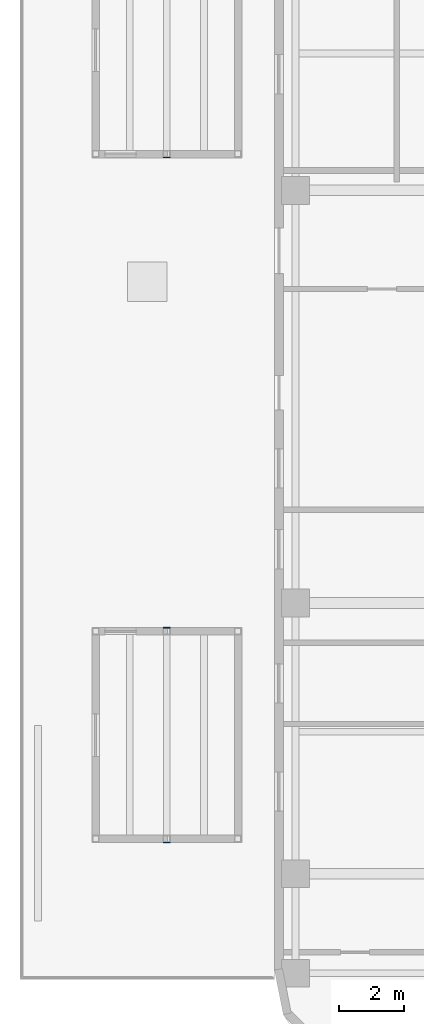
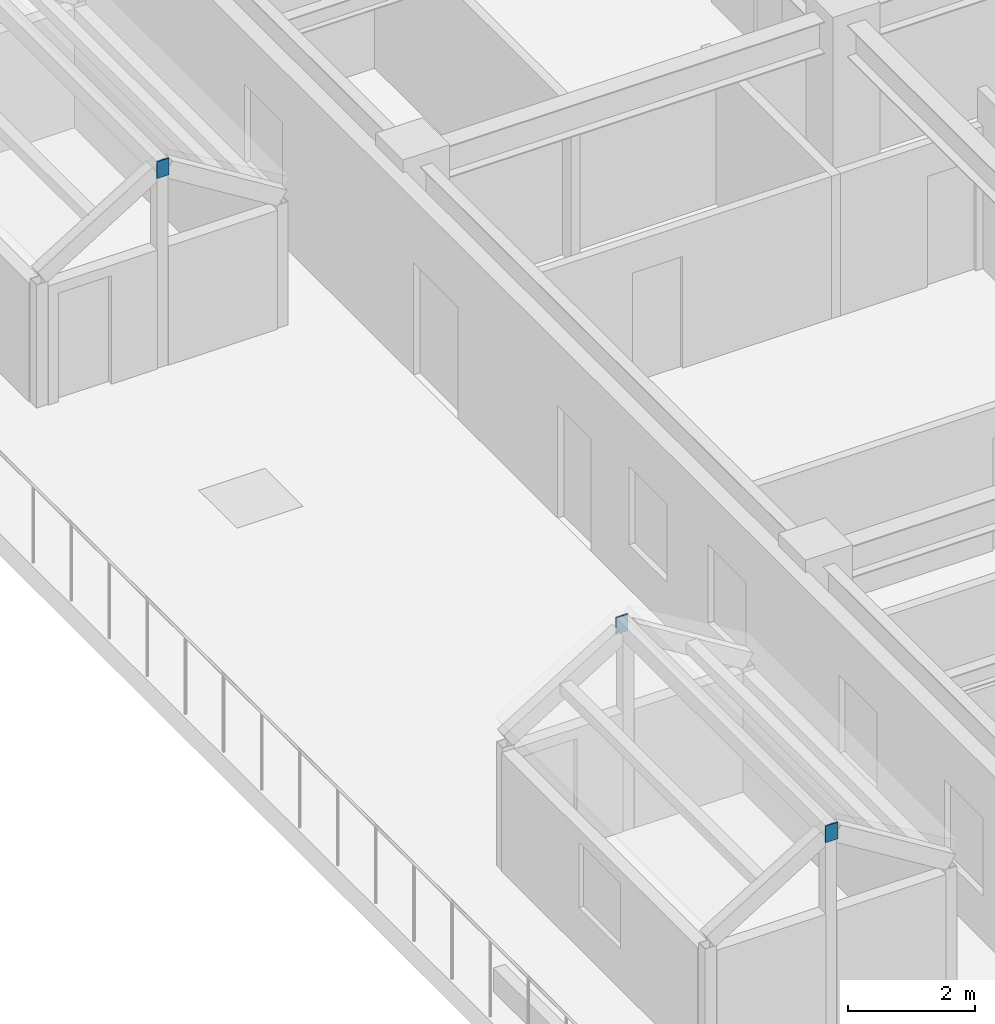
# One storey, part 8 of 19: 3 plates.
"""IFC4 building model written with IfcOpenShell, lengths in metres."""

import ifcopenshell
import ifcopenshell.guid

model = None  # the IFC model being written
_history = None  # IfcOwnerHistory: only IFC2X3 demands one
_inside = {}  # id of a spatial element -> (the spatial element, [elements in it])
_under = {}  # id of a project, library or spatial element -> (it, [spatial elements below it])
_declared = {}  # id of a project -> (the project, [libraries it declares])
_typed = {}  # id of a type object -> (the type object, [elements of that type])
_made_of = {}  # id of a material, layer set ... -> (it, [elements and type objects made of it])


def new_model(schema):
    """Start an empty IFC model of exactly this schema.

    Asked for "IFC4X3", IfcOpenShell would pick the latest addendum, in which some entities
    have other attributes; the version numbers below select the first issue.
    IFC2X3 requires an IfcOwnerHistory on every rooted entity: one is made here for all.
    """
    global model, _history
    if schema == "IFC4X3":
        model = ifcopenshell.file(schema_version=(4, 3, 0, 0))
    else:
        model = ifcopenshell.file(schema=schema)
    _inside.clear()
    _under.clear()
    _declared.clear()
    _typed.clear()
    _made_of.clear()
    _history = None
    if model.schema == "IFC2X3":
        org = make("IfcOrganization", Name="unknown")
        user = make(
            "IfcPersonAndOrganization",
            ThePerson=make("IfcPerson", FamilyName="unknown"),
            TheOrganization=org,
        )
        app = make(
            "IfcApplication",
            ApplicationDeveloper=org,
            Version="unknown",
            ApplicationFullName="unknown",
            ApplicationIdentifier="unknown",
        )
        _history = make(
            "IfcOwnerHistory",
            OwningUser=user,
            OwningApplication=app,
            ChangeAction="ADDED",
            CreationDate=0,
        )
    return model


def make(cls, **values):
    """One entity of the class cls with the attributes given. An attribute that is None is left unset."""
    return model.create_entity(
        cls, **{name: value for name, value in values.items() if value is not None}
    )


def rooted(cls, **values):
    """An entity with a GlobalId (a new one), such as an element, a storey or a relation."""
    return make(cls, GlobalId=ifcopenshell.guid.new(), OwnerHistory=_history, **values)


def si_unit(unit_type, name, prefix=None):
    """IfcSIUnit, for example si_unit("LENGTHUNIT", "METRE", prefix="MILLI")."""
    return make("IfcSIUnit", UnitType=unit_type, Prefix=prefix, Name=name)


def assignment(units):
    """IfcUnitAssignment: the units of a project."""
    return None if units is None else make("IfcUnitAssignment", Units=units)


def point(xyz):
    """IfcCartesianPoint."""
    return None if xyz is None else make("IfcCartesianPoint", Coordinates=xyz)


def direction(xyz):
    """IfcDirection."""
    return None if xyz is None else make("IfcDirection", DirectionRatios=xyz)


def frame(location, z_axis=None, x_axis=None):
    """IfcAxis2Placement3D, a coordinate frame: its origin and axes. An axis left out is left unset."""
    return make(
        "IfcAxis2Placement3D",
        Location=point(location),
        Axis=direction(z_axis),
        RefDirection=direction(x_axis),
    )


def frame_2d(location, x_axis=None):
    """IfcAxis2Placement2D, a coordinate frame in the plane: its origin and x axis."""
    return make(
        "IfcAxis2Placement2D", Location=point(location), RefDirection=direction(x_axis)
    )


def origin():
    """The frame at (0, 0, 0) with its axes left unset."""
    return frame((0.0, 0.0, 0.0))


def origin_2d():
    """The frame at (0, 0) in the plane with its x axis left unset."""
    return frame_2d((0.0, 0.0))


def place(relative_to, where):
    """IfcLocalPlacement: puts the frame where relative to a parent placement (None: the world)."""
    return make(
        "IfcLocalPlacement", PlacementRelTo=relative_to, RelativePlacement=where
    )


def context(
    kind, dimensions, precision=None, world=None, true_north=None, identifier=None
):
    """IfcGeometricRepresentationContext, for example the 3D "Model" context."""
    return make(
        "IfcGeometricRepresentationContext",
        ContextIdentifier=identifier,
        ContextType=kind,
        CoordinateSpaceDimension=dimensions,
        Precision=precision,
        WorldCoordinateSystem=world,
        TrueNorth=true_north,
    )


def subcontext(parent, identifier, kind, view, scale=None):
    """IfcGeometricRepresentationSubContext, for example "Body" below "Model"."""
    return make(
        "IfcGeometricRepresentationSubContext",
        ContextIdentifier=identifier,
        ContextType=kind,
        ParentContext=parent,
        TargetScale=scale,
        TargetView=view,
    )


def project(units=None, contexts=None):
    """IfcProject with its units and contexts."""
    return rooted(
        "IfcProject",
        Name="project",
        RepresentationContexts=contexts,
        UnitsInContext=assignment(units),
    )


def spatial(cls, under=None, at=None, **own):
    """A site, building, storey or space (cls), placed at a placement, below another one or the project."""
    s = rooted(cls, ObjectPlacement=at, **own)
    if under is not None:
        _under.setdefault(under.id(), (under, []))[1].append(s)
    return s


def profile(cls, at=None, kind="AREA", **sizes):
    """A parametric profile (cls). Its sizes go by their IFC names, for example OverallWidth=200.0."""
    return make(cls, ProfileType=kind, Position=at, **sizes)


def rectangle(**sizes):
    """IfcRectangleProfileDef."""
    return profile("IfcRectangleProfileDef", **sizes)


def extrude(swept, where, along, depth):
    """IfcExtrudedAreaSolid: the profile swept, set in the frame where, extruded along a direction by depth."""
    return make(
        "IfcExtrudedAreaSolid",
        SweptArea=swept,
        Position=where,
        ExtrudedDirection=direction(along),
        Depth=depth,
    )


def shape(context_of_items, identifier, shape_type, items):
    """IfcShapeRepresentation: the items that make up one representation, for example the "Body"."""
    return make(
        "IfcShapeRepresentation",
        ContextOfItems=context_of_items,
        RepresentationIdentifier=identifier,
        RepresentationType=shape_type,
        Items=items,
    )


def material(Name=None, Category=None):
    """IfcMaterial."""
    return make("IfcMaterial", Name=Name, Category=Category)


def layer(
    of_material, thickness, ventilated=None, Name=None, Category=None, Priority=None
):
    """IfcMaterialLayer: one layer of a wall or slab, of a material (None: an air gap)."""
    return make(
        "IfcMaterialLayer",
        Material=of_material,
        LayerThickness=thickness,
        IsVentilated=ventilated,
        Name=Name,
        Category=Category,
        Priority=Priority,
    )


def layer_set(layers, Name=None):
    """IfcMaterialLayerSet."""
    return make("IfcMaterialLayerSet", MaterialLayers=layers, LayerSetName=Name)


def made_of(thing, what):
    """Note that an element or type object is made of a material, layer set ...; save() writes the relation."""
    if what is not None:
        _made_of.setdefault(what.id(), (what, []))[1].append(thing)
    return thing


def type_object(cls, material=None, **own):
    """A type object (cls), such as IfcWallType, which elements share."""
    return made_of(rooted(cls, **own), material)


def element(
    cls,
    number,
    at=None,
    inside=None,
    cuts=None,
    type_object=None,
    material=None,
    context=None,
    identifier="Body",
    shape_type=None,
    held_by="IfcProductDefinitionShape",
    body=None,
    shapes=None,
    **own,
):
    """One element of the class cls, such as IfcWall. Its Tag is "e" and its number.

    at: its placement. inside: the storey or other place that contains it. cuts: it is an
    opening in that element (IfcRelVoidsElement). A single representation is given by context,
    identifier, shape_type and body (its items); several are given by shapes. held_by: the class
    of the entity that holds the representations. save() writes the other relations.
    """
    e = rooted(cls, Tag="e%d" % number, ObjectPlacement=at, **own)
    if body is not None:
        shapes = [shape(context, identifier, shape_type, body)]
    if shapes is not None:
        e.Representation = make(held_by, Representations=shapes)
    if inside is not None:
        _inside.setdefault(inside.id(), (inside, []))[1].append(e)
    if cuts is not None:
        rooted(
            "IfcRelVoidsElement", RelatingBuildingElement=cuts, RelatedOpeningElement=e
        )
    if type_object is not None:
        _typed.setdefault(type_object.id(), (type_object, []))[1].append(e)
    return made_of(e, material)


def aggregate(whole, parts):
    """IfcRelAggregates: a whole, such as a stair, and the parts it consists of."""
    return rooted("IfcRelAggregates", RelatingObject=whole, RelatedObjects=parts)


def save(model, path):
    """Write the relations noted so far, then the file.

    IfcRelAggregates (storeys below a building ...), IfcRelContainedInSpatialStructure (elements
    in a storey), IfcRelDefinesByType, IfcRelAssociatesMaterial and IfcRelDeclares: one each for
    every whole, place, type object, material and project.
    """
    for whole, parts in _under.values():
        aggregate(whole, parts)
    for where, things in _inside.values():
        rooted(
            "IfcRelContainedInSpatialStructure",
            RelatedElements=things,
            RelatingStructure=where,
        )
    for kind, things in _typed.values():
        rooted("IfcRelDefinesByType", RelatedObjects=things, RelatingType=kind)
    for what, things in _made_of.values():
        rooted("IfcRelAssociatesMaterial", RelatedObjects=things, RelatingMaterial=what)
    for by, libraries in _declared.values():
        rooted("IfcRelDeclares", RelatingContext=by, RelatedDefinitions=libraries)
    model.write(path)


model = new_model("IFC4")

# Units and contexts
model_context = context("Model", 3, precision=1e-05, world=origin(), true_north=direction((0.0, 1.0)))
body_context = subcontext(model_context, "Body", "Model", "MODEL_VIEW")
ifc_project = project(units=[si_unit("LENGTHUNIT", "METRE"), si_unit("AREAUNIT", "SQUARE_METRE"), si_unit("VOLUMEUNIT", "CUBIC_METRE"), si_unit("PLANEANGLEUNIT", "RADIAN"), si_unit("MASSUNIT", "GRAM", prefix="KILO")], contexts=[model_context])

# Site, building, storey
site_placement = place(None, origin())
site = spatial("IfcSite", under=ifc_project, at=site_placement, CompositionType="ELEMENT")
building_placement = place(site_placement, origin())
building = spatial("IfcBuilding", under=site, at=building_placement, Name="Ochreholt Gables", CompositionType="ELEMENT")
storey_placement = place(building_placement, frame((0.0, 0.0, 76.800048828125)))
storey = spatial("IfcBuildingStorey", under=building, at=storey_placement, Name="L19", CompositionType="ELEMENT", Elevation=76.800048828125)

# Plates
ifc_material = material(Name="Steel CSA G40.21 350W", Category="steel")
ifc_layer = layer(ifc_material, 0.02490234375, Name="Steel CSA G40.21 350W")
ifc_layer_set = layer_set([ifc_layer], Name="Steel CSA G40.21 350W")
plate_type = type_object("IfcPlateType", Name="PL-ECP", PredefinedType="USERDEFINED", material=ifc_layer_set)
for number, where, z_axis, x_axis, name in (
    (1, (6.5, 10.2080078125, 3.65478515625), (0.0, 0.0, 1.0), (1.0, 0.0, 0.0), "L19 Gable Ridge Welded End Cap Plate GB-19W1-S"),
    (2, (6.5, 16.7919921875, 3.65478515625), (0.0, 0.0, 1.0), (1.0, 0.0, 0.0), "L19 Gable Ridge Welded End Cap Plate GB-19W1-N"),
    (3, (6.5, 31.2080078125, 3.65478515625), (0.0, 0.0, 1.0), (1.0, 0.0, 0.0), "L19 Gable Ridge Welded End Cap Plate GB-19W2-S"),
):
    element("IfcPlate", number, at=place(storey_placement, frame(where, z_axis=z_axis, x_axis=x_axis)), inside=storey, type_object=plate_type, Name=name, ObjectType="END CAP PLATE", PredefinedType="USERDEFINED", context=body_context, shape_type="SweptSolid", body=[
        extrude(rectangle(XDim=0.219970703125, YDim=0.02490234375, at=origin_2d()), origin(), (0.0, 0.0, 1.0), 0.320068359375),
    ])

save(model, "model.ifc")
